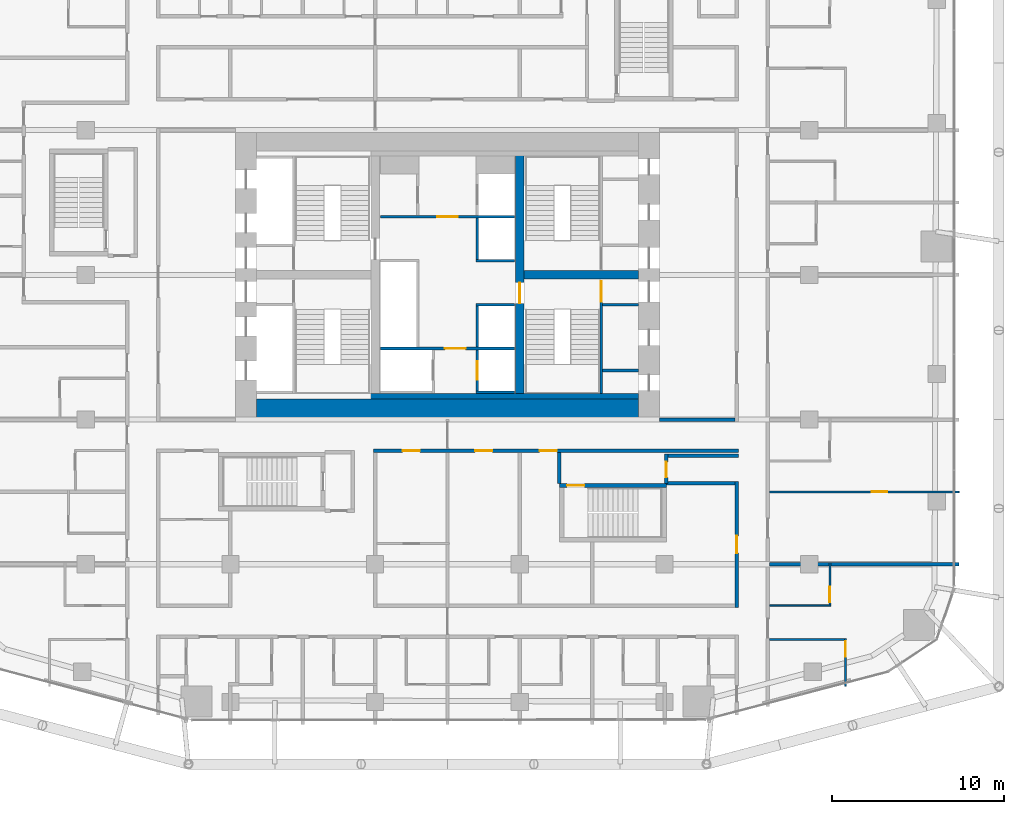
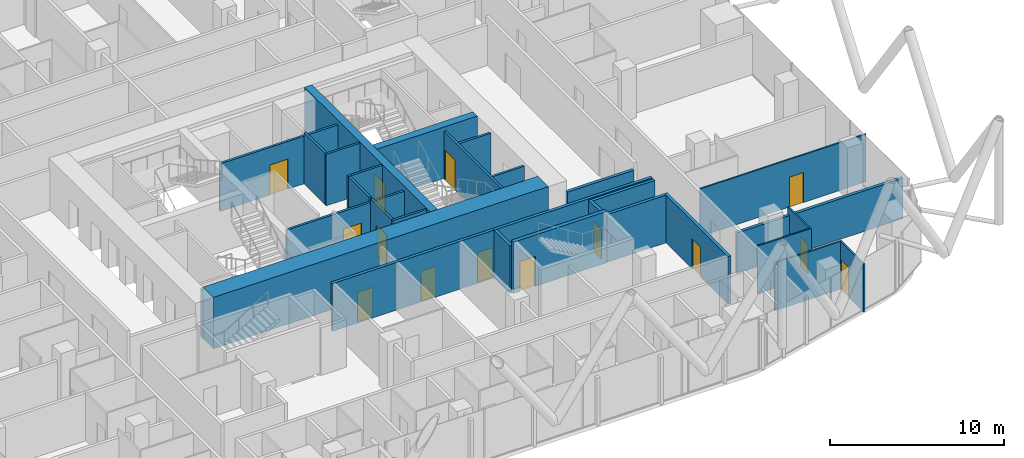
# One storey, part 31 of 38: 30 walls, 14 doors, 14 openings.
"""IFC4 building model written with IfcOpenShell, lengths in metres."""

import ifcopenshell
import ifcopenshell.guid

model = None  # the IFC model being written
_history = None  # IfcOwnerHistory: only IFC2X3 demands one
_inside = {}  # id of a spatial element -> (the spatial element, [elements in it])
_under = {}  # id of a project, library or spatial element -> (it, [spatial elements below it])
_declared = {}  # id of a project -> (the project, [libraries it declares])
_typed = {}  # id of a type object -> (the type object, [elements of that type])
_made_of = {}  # id of a material, layer set ... -> (it, [elements and type objects made of it])


def new_model(schema):
    """Start an empty IFC model of exactly this schema.

    Asked for "IFC4X3", IfcOpenShell would pick the latest addendum, in which some entities
    have other attributes; the version numbers below select the first issue.
    IFC2X3 requires an IfcOwnerHistory on every rooted entity: one is made here for all.
    """
    global model, _history
    if schema == "IFC4X3":
        model = ifcopenshell.file(schema_version=(4, 3, 0, 0))
    else:
        model = ifcopenshell.file(schema=schema)
    _inside.clear()
    _under.clear()
    _declared.clear()
    _typed.clear()
    _made_of.clear()
    _history = None
    if model.schema == "IFC2X3":
        org = make("IfcOrganization", Name="unknown")
        user = make(
            "IfcPersonAndOrganization",
            ThePerson=make("IfcPerson", FamilyName="unknown"),
            TheOrganization=org,
        )
        app = make(
            "IfcApplication",
            ApplicationDeveloper=org,
            Version="unknown",
            ApplicationFullName="unknown",
            ApplicationIdentifier="unknown",
        )
        _history = make(
            "IfcOwnerHistory",
            OwningUser=user,
            OwningApplication=app,
            ChangeAction="ADDED",
            CreationDate=0,
        )
    return model


def make(cls, **values):
    """One entity of the class cls with the attributes given. An attribute that is None is left unset."""
    return model.create_entity(
        cls, **{name: value for name, value in values.items() if value is not None}
    )


def rooted(cls, **values):
    """An entity with a GlobalId (a new one), such as an element, a storey or a relation."""
    return make(cls, GlobalId=ifcopenshell.guid.new(), OwnerHistory=_history, **values)


def si_unit(unit_type, name, prefix=None):
    """IfcSIUnit, for example si_unit("LENGTHUNIT", "METRE", prefix="MILLI")."""
    return make("IfcSIUnit", UnitType=unit_type, Prefix=prefix, Name=name)


def assignment(units):
    """IfcUnitAssignment: the units of a project."""
    return None if units is None else make("IfcUnitAssignment", Units=units)


def point(xyz):
    """IfcCartesianPoint."""
    return None if xyz is None else make("IfcCartesianPoint", Coordinates=xyz)


def direction(xyz):
    """IfcDirection."""
    return None if xyz is None else make("IfcDirection", DirectionRatios=xyz)


def frame(location, z_axis=None, x_axis=None):
    """IfcAxis2Placement3D, a coordinate frame: its origin and axes. An axis left out is left unset."""
    return make(
        "IfcAxis2Placement3D",
        Location=point(location),
        Axis=direction(z_axis),
        RefDirection=direction(x_axis),
    )


def frame_2d(location, x_axis=None):
    """IfcAxis2Placement2D, a coordinate frame in the plane: its origin and x axis."""
    return make(
        "IfcAxis2Placement2D", Location=point(location), RefDirection=direction(x_axis)
    )


def origin():
    """The frame at (0, 0, 0) with its axes left unset."""
    return frame((0.0, 0.0, 0.0))


def place(relative_to, where):
    """IfcLocalPlacement: puts the frame where relative to a parent placement (None: the world)."""
    return make(
        "IfcLocalPlacement", PlacementRelTo=relative_to, RelativePlacement=where
    )


def context(
    kind, dimensions, precision=None, world=None, true_north=None, identifier=None
):
    """IfcGeometricRepresentationContext, for example the 3D "Model" context."""
    return make(
        "IfcGeometricRepresentationContext",
        ContextIdentifier=identifier,
        ContextType=kind,
        CoordinateSpaceDimension=dimensions,
        Precision=precision,
        WorldCoordinateSystem=world,
        TrueNorth=true_north,
    )


def subcontext(parent, identifier, kind, view, scale=None):
    """IfcGeometricRepresentationSubContext, for example "Body" below "Model"."""
    return make(
        "IfcGeometricRepresentationSubContext",
        ContextIdentifier=identifier,
        ContextType=kind,
        ParentContext=parent,
        TargetScale=scale,
        TargetView=view,
    )


def project(units=None, contexts=None):
    """IfcProject with its units and contexts."""
    return rooted(
        "IfcProject",
        Name="project",
        RepresentationContexts=contexts,
        UnitsInContext=assignment(units),
    )


def spatial(cls, under=None, at=None, **own):
    """A site, building, storey or space (cls), placed at a placement, below another one or the project."""
    s = rooted(cls, ObjectPlacement=at, **own)
    if under is not None:
        _under.setdefault(under.id(), (under, []))[1].append(s)
    return s


def profile(cls, at=None, kind="AREA", **sizes):
    """A parametric profile (cls). Its sizes go by their IFC names, for example OverallWidth=200.0."""
    return make(cls, ProfileType=kind, Position=at, **sizes)


def rectangle(**sizes):
    """IfcRectangleProfileDef."""
    return profile("IfcRectangleProfileDef", **sizes)


def extrude(swept, where, along, depth):
    """IfcExtrudedAreaSolid: the profile swept, set in the frame where, extruded along a direction by depth."""
    return make(
        "IfcExtrudedAreaSolid",
        SweptArea=swept,
        Position=where,
        ExtrudedDirection=direction(along),
        Depth=depth,
    )


def shape(context_of_items, identifier, shape_type, items):
    """IfcShapeRepresentation: the items that make up one representation, for example the "Body"."""
    return make(
        "IfcShapeRepresentation",
        ContextOfItems=context_of_items,
        RepresentationIdentifier=identifier,
        RepresentationType=shape_type,
        Items=items,
    )


def material(Name=None, Category=None):
    """IfcMaterial."""
    return make("IfcMaterial", Name=Name, Category=Category)


def layer(
    of_material, thickness, ventilated=None, Name=None, Category=None, Priority=None
):
    """IfcMaterialLayer: one layer of a wall or slab, of a material (None: an air gap)."""
    return make(
        "IfcMaterialLayer",
        Material=of_material,
        LayerThickness=thickness,
        IsVentilated=ventilated,
        Name=Name,
        Category=Category,
        Priority=Priority,
    )


def layer_set(layers, Name=None):
    """IfcMaterialLayerSet."""
    return make("IfcMaterialLayerSet", MaterialLayers=layers, LayerSetName=Name)


def made_of(thing, what):
    """Note that an element or type object is made of a material, layer set ...; save() writes the relation."""
    if what is not None:
        _made_of.setdefault(what.id(), (what, []))[1].append(thing)
    return thing


def type_object(cls, material=None, **own):
    """A type object (cls), such as IfcWallType, which elements share."""
    return made_of(rooted(cls, **own), material)


def element(
    cls,
    number,
    at=None,
    inside=None,
    cuts=None,
    type_object=None,
    material=None,
    context=None,
    identifier="Body",
    shape_type=None,
    held_by="IfcProductDefinitionShape",
    body=None,
    shapes=None,
    **own,
):
    """One element of the class cls, such as IfcWall. Its Tag is "e" and its number.

    at: its placement. inside: the storey or other place that contains it. cuts: it is an
    opening in that element (IfcRelVoidsElement). A single representation is given by context,
    identifier, shape_type and body (its items); several are given by shapes. held_by: the class
    of the entity that holds the representations. save() writes the other relations.
    """
    e = rooted(cls, Tag="e%d" % number, ObjectPlacement=at, **own)
    if body is not None:
        shapes = [shape(context, identifier, shape_type, body)]
    if shapes is not None:
        e.Representation = make(held_by, Representations=shapes)
    if inside is not None:
        _inside.setdefault(inside.id(), (inside, []))[1].append(e)
    if cuts is not None:
        rooted(
            "IfcRelVoidsElement", RelatingBuildingElement=cuts, RelatedOpeningElement=e
        )
    if type_object is not None:
        _typed.setdefault(type_object.id(), (type_object, []))[1].append(e)
    return made_of(e, material)


def fill(opening, filler):
    """IfcRelFillsElement: the door or window that sits in an opening."""
    return rooted(
        "IfcRelFillsElement",
        RelatingOpeningElement=opening,
        RelatedBuildingElement=filler,
    )


def aggregate(whole, parts):
    """IfcRelAggregates: a whole, such as a stair, and the parts it consists of."""
    return rooted("IfcRelAggregates", RelatingObject=whole, RelatedObjects=parts)


def save(model, path):
    """Write the relations noted so far, then the file.

    IfcRelAggregates (storeys below a building ...), IfcRelContainedInSpatialStructure (elements
    in a storey), IfcRelDefinesByType, IfcRelAssociatesMaterial and IfcRelDeclares: one each for
    every whole, place, type object, material and project.
    """
    for whole, parts in _under.values():
        aggregate(whole, parts)
    for where, things in _inside.values():
        rooted(
            "IfcRelContainedInSpatialStructure",
            RelatedElements=things,
            RelatingStructure=where,
        )
    for kind, things in _typed.values():
        rooted("IfcRelDefinesByType", RelatedObjects=things, RelatingType=kind)
    for what, things in _made_of.values():
        rooted("IfcRelAssociatesMaterial", RelatedObjects=things, RelatingMaterial=what)
    for by, libraries in _declared.values():
        rooted("IfcRelDeclares", RelatingContext=by, RelatedDefinitions=libraries)
    model.write(path)


model = new_model("IFC4")

# Units and contexts
model_context = context("Model", 3, precision=1e-05, world=origin(), true_north=direction((0.0, 1.0)))
body_context = subcontext(model_context, "Body", "Model", "MODEL_VIEW")
ifc_project = project(units=[si_unit("LENGTHUNIT", "METRE"), si_unit("AREAUNIT", "SQUARE_METRE"), si_unit("VOLUMEUNIT", "CUBIC_METRE"), si_unit("PLANEANGLEUNIT", "RADIAN"), si_unit("MASSUNIT", "GRAM", prefix="KILO")], contexts=[model_context])

# Site, building, storey
site_placement = place(None, origin())
site = spatial("IfcSite", under=ifc_project, at=site_placement, CompositionType="ELEMENT")
building_placement = place(site_placement, origin())
building = spatial("IfcBuilding", under=site, at=building_placement, Name="Marenta Gate Hotel Tower", CompositionType="ELEMENT")
storey_placement = place(building_placement, frame((0.0, 0.0, 40.10009765625)))
storey = spatial("IfcBuildingStorey", under=building, at=storey_placement, Name="L07", CompositionType="ELEMENT", Elevation=40.10009765625)

# Walls
ifc_material_1 = material(Name="Concrete blockwork", Category="masonry")
ifc_layer_1 = layer(ifc_material_1, 0.199951171875)
ifc_layer_set_1 = layer_set([ifc_layer_1], Name="Concrete blockwork")
wall_type_1 = type_object("IfcWallType", Name="Core boundary wall 200 REI 180", PredefinedType="PARTITIONING", material=ifc_layer_set_1)
wall_1_placement = place(storey_placement, frame((12.300048828125, 0.0, 0.0), z_axis=(0.0, 0.0, 1.0), x_axis=(1.0, 0.0, 0.0)))
element("IfcWall", 1, at=wall_1_placement, inside=storey, type_object=wall_type_1, Name="L07-CP-EW-ES", PredefinedType="PARTITIONING", context=body_context, shape_type="SweptSolid", body=[
    extrude(rectangle(XDim=4.39990234375, YDim=0.199951171875, at=frame_2d((2.199951171875, 0.0))), origin(), (0.0, 0.0, 1.0), 2.83984375),
])
ifc_material_2 = material(Name="Concrete C40", Category="concrete")
ifc_layer_2 = layer(ifc_material_2, 0.300048828125)
ifc_layer_set_2 = layer_set([ifc_layer_2], Name="Concrete C40")
wall_type_2 = type_object("IfcWallType", Name="Core lining wall 300 REI 180", PredefinedType="PARTITIONING", material=ifc_layer_set_2)
wall_2_placement = place(storey_placement, frame((-11.10009765625, 1.35009765625, 0.0), z_axis=(0.0, 0.0, 1.0), x_axis=(1.0, 0.0, 0.0)))
element("IfcWall", 2, at=wall_2_placement, inside=storey, type_object=wall_type_2, Name="L07-CP-LN-S", PredefinedType="PARTITIONING", context=body_context, shape_type="SweptSolid", body=[
    extrude(rectangle(XDim=22.2001953125, YDim=0.300048828125, at=frame_2d((11.10009765625, 0.0))), origin(), (0.0, 0.0, 1.0), 3.33984375),
])

# Wall, opening, door
ifc_material_3 = material(Name="Concrete blockwork", Category="masonry")
ifc_layer_3 = layer(ifc_material_3, 0.14990234375)
ifc_layer_set_3 = layer_set([ifc_layer_3], Name="Concrete blockwork")
wall_type_3 = type_object("IfcWallType", Name="Core lobby partition 150 REI 180", PredefinedType="PARTITIONING", material=ifc_layer_set_3)
wall_3_placement = place(storey_placement, frame((-3.89990234375, 4.125, 0.0), z_axis=(0.0, 0.0, 1.0), x_axis=(1.0, 0.0, 0.0)))
wall_3 = element("IfcWall", 3, at=wall_3_placement, inside=storey, type_object=wall_type_3, Name="L07-CP-CW-S", PredefinedType="PARTITIONING", context=body_context, shape_type="SweptSolid", body=[
    extrude(rectangle(XDim=7.7998046875, YDim=0.14990234375, at=frame_2d((3.89990234375, 0.0))), origin(), (0.0, 0.0, 1.0), 3.33984375),
])
opening_1_placement = place(wall_3_placement, frame((3.75, 0.0, 0.0)))
opening_1 = element("IfcOpeningElement", 4, at=opening_1_placement, cuts=wall_3, Name="Opening FD-FFS", PredefinedType="OPENING", context=body_context, shape_type="SweptSolid", body=[
    extrude(rectangle(XDim=1.199951171875, YDim=2.10009765625, at=frame_2d((0.60009765625, 1.050048828125))), frame((0.0, 0.074951171875, 0.0), z_axis=(0.0, -1.0, 0.0), x_axis=(1.0, 0.0, 0.0)), (0.0, 0.0, 1.0), 0.14990234375),
])
ifc_material_4 = material(Name="Steel", Category="steel")
door_type_1 = type_object("IfcDoorType", Name="Core lobby door 1200x2100 FD60", OperationType="SINGLE_SWING_LEFT", PredefinedType="DOOR", material=ifc_material_4)
door_1_placement = place(opening_1_placement, origin())
door_1 = element("IfcDoor", 5, at=door_1_placement, inside=storey, type_object=door_type_1, Name="FD-FFS", OperationType="SINGLE_SWING_LEFT", OverallHeight=2.10009765625, OverallWidth=1.199951171875, PredefinedType="DOOR", context=body_context, shape_type="SweptSolid", body=[
    extrude(rectangle(XDim=1.199951171875, YDim=2.10009765625, at=frame_2d((0.60009765625, 1.050048828125))), frame((0.0, 0.02490234375, 0.0), z_axis=(0.0, -1.0, 0.0), x_axis=(1.0, 0.0, 0.0)), (0.0, 0.0, 1.0), 0.050048828125),
])
fill(opening_1, door_1)

wall_4_placement = place(storey_placement, frame((-3.89990234375, 11.77490234375, 0.0), z_axis=(0.0, 0.0, 1.0), x_axis=(1.0, 0.0, 0.0)))
wall_4 = element("IfcWall", 6, at=wall_4_placement, inside=storey, type_object=wall_type_3, Name="L07-CP-CW-N", PredefinedType="PARTITIONING", context=body_context, shape_type="SweptSolid", body=[
    extrude(rectangle(XDim=7.7998046875, YDim=0.14990234375, at=frame_2d((3.89990234375, 0.0))), origin(), (0.0, 0.0, 1.0), 3.33984375),
])
opening_2_placement = place(wall_4_placement, frame((3.300048828125, 0.0, 0.0)))
opening_2 = element("IfcOpeningElement", 7, at=opening_2_placement, cuts=wall_4, Name="Opening FD-FFN", PredefinedType="OPENING", context=body_context, shape_type="SweptSolid", body=[
    extrude(rectangle(XDim=1.199951171875, YDim=2.10009765625, at=frame_2d((0.60009765625, 1.050048828125))), frame((0.0, 0.074951171875, 0.0), z_axis=(0.0, -1.0, 0.0), x_axis=(1.0, 0.0, 0.0)), (0.0, 0.0, 1.0), 0.14990234375),
])
door_2_placement = place(opening_2_placement, origin())
door_2 = element("IfcDoor", 8, at=door_2_placement, inside=storey, type_object=door_type_1, Name="FD-FFN", OperationType="SINGLE_SWING_LEFT", OverallHeight=2.10009765625, OverallWidth=1.199951171875, PredefinedType="DOOR", context=body_context, shape_type="SweptSolid", body=[
    extrude(rectangle(XDim=1.199951171875, YDim=2.10009765625, at=frame_2d((0.60009765625, 1.050048828125))), frame((0.0, 0.02490234375, 0.0), z_axis=(0.0, -1.0, 0.0), x_axis=(1.0, 0.0, 0.0)), (0.0, 0.0, 1.0), 0.050048828125),
])
fill(opening_2, door_2)

# Walls
ifc_material_5 = material(Name="Concrete blockwork", Category="masonry")
ifc_layer_4 = layer(ifc_material_5, 0.14990234375)
ifc_layer_set_4 = layer_set([ifc_layer_4], Name="Concrete blockwork")
wall_type_4 = type_object("IfcWallType", Name="Core room partition 150 REI 180", PredefinedType="PARTITIONING", material=ifc_layer_set_4)
for number, where, z_axis, x_axis, name in (
    (9, (9.0, 6.675048828125, 0.0), (0.0, 0.0, 1.0), (1.0, 0.0, 0.0), "L07-CP-SW-ES-2"),
    (10, (9.0, 2.85009765625, 0.0), (0.0, 0.0, 1.0), (1.0, 0.0, 0.0), "L07-CP-RW-ES-1"),
):
    element("IfcWall", number, at=place(storey_placement, frame(where, z_axis=z_axis, x_axis=x_axis)), inside=storey, type_object=wall_type_4, Name=name, PredefinedType="PARTITIONING", context=body_context, shape_type="SweptSolid", body=[
        extrude(rectangle(XDim=2.10009765625, YDim=0.14990234375, at=frame_2d((1.050048828125, 0.0))), origin(), (0.0, 0.0, 1.0), 3.33984375),
    ])

# Wall, opening, door
ifc_material_6 = material(Name="Concrete C40", Category="concrete")
ifc_layer_5 = layer(ifc_material_6, 0.14990234375)
ifc_layer_set_5 = layer_set([ifc_layer_5], Name="Concrete C40")
wall_type_5 = type_object("IfcWallType", Name="Core shaft wall 150 REI 180", PredefinedType="SHEAR", material=ifc_layer_set_5)
wall_5_placement = place(storey_placement, frame((1.72509765625, 1.64990234375, 0.0), z_axis=(0.0, 0.0, 1.0), x_axis=(0.0, 1.0, 0.0)))
wall_5 = element("IfcWall", 11, at=wall_5_placement, inside=storey, type_object=wall_type_5, Name="L07-SHF-CE-S-ls", PredefinedType="SHEAR", context=body_context, shape_type="SweptSolid", body=[
    extrude(rectangle(XDim=2.400146484375, YDim=0.14990234375, at=frame_2d((1.2001953125, 0.0))), origin(), (0.0, 0.0, 1.0), 3.599853515625),
])
opening_3_placement = place(wall_5_placement, frame((0.64990234375, 0.0, 0.0)))
opening_3 = element("IfcOpeningElement", 12, at=opening_3_placement, cuts=wall_5, Name="Opening LD-SV1", PredefinedType="OPENING", context=body_context, shape_type="SweptSolid", body=[
    extrude(rectangle(XDim=1.10009765625, YDim=2.10009765625, at=frame_2d((0.550048828125, 1.050048828125))), frame((0.0, 0.074951171875, 0.0), z_axis=(0.0, -1.0, 0.0), x_axis=(1.0, 0.0, 0.0)), (0.0, 0.0, 1.0), 0.14990234375),
])
ifc_material_7 = material(Name="Steel", Category="steel")
door_type_2 = type_object("IfcDoorType", Name="Core lift landing door 1100x2100 E 60", OperationType="SLIDING_TO_LEFT", PredefinedType="DOOR", material=ifc_material_7)
door_3_placement = place(opening_3_placement, origin())
door_3 = element("IfcDoor", 13, at=door_3_placement, inside=storey, type_object=door_type_2, Name="LD-SV1", OperationType="SLIDING_TO_LEFT", OverallHeight=2.10009765625, OverallWidth=1.10009765625, PredefinedType="DOOR", context=body_context, shape_type="SweptSolid", body=[
    extrude(rectangle(XDim=1.10009765625, YDim=2.10009765625, at=frame_2d((0.550048828125, 1.050048828125))), frame((0.0, 0.02490234375, 0.0), z_axis=(0.0, -1.0, 0.0), x_axis=(1.0, 0.0, 0.0)), (0.0, 0.0, 1.0), 0.050048828125),
])
fill(opening_3, door_3)

# Walls
for number, where, z_axis, x_axis, name in (
    (14, (1.64990234375, 1.574951171875, 0.0), (0.0, 0.0, 1.0), (1.0, 0.0, 0.0), "L07-SHF-CE-S-bot"),
    (15, (1.64990234375, 6.675048828125, 0.0), (0.0, 0.0, 1.0), (1.0, 0.0, 0.0), "L07-SHF-CE-sep1"),
    (16, (1.64990234375, 9.22509765625, 0.0), (0.0, 0.0, 1.0), (1.0, 0.0, 0.0), "L07-SHF-CE-sep2"),
):
    element("IfcWall", number, at=place(storey_placement, frame(where, z_axis=z_axis, x_axis=x_axis)), inside=storey, type_object=wall_type_5, Name=name, PredefinedType="SHEAR", context=body_context, shape_type="SweptSolid", body=[
        extrude(rectangle(XDim=2.25, YDim=0.14990234375, at=frame_2d((1.125, 0.0))), origin(), (0.0, 0.0, 1.0), 3.599853515625),
    ])
wall_6_placement = place(storey_placement, frame((1.72509765625, 4.199951171875, 0.0), z_axis=(0.0, 0.0, 1.0), x_axis=(0.0, 1.0, 0.0)))
element("IfcWall", 17, at=wall_6_placement, inside=storey, type_object=wall_type_5, Name="L07-SHF-CE-front-1", PredefinedType="SHEAR", context=body_context, shape_type="SweptSolid", body=[
    extrude(rectangle(XDim=2.400146484375, YDim=0.14990234375, at=frame_2d((1.2001953125, 0.0))), origin(), (0.0, 0.0, 1.0), 3.599853515625),
])
wall_7_placement = place(storey_placement, frame((1.72509765625, 9.300048828125, 0.0), z_axis=(0.0, 0.0, 1.0), x_axis=(0.0, 1.0, 0.0)))
element("IfcWall", 18, at=wall_7_placement, inside=storey, type_object=wall_type_5, Name="L07-SHF-CE-front-2", PredefinedType="SHEAR", context=body_context, shape_type="SweptSolid", body=[
    extrude(rectangle(XDim=2.39990234375, YDim=0.14990234375, at=frame_2d((1.199951171875, 0.0))), origin(), (0.0, 0.0, 1.0), 3.599853515625),
])

# Wall, opening, door
ifc_material_8 = material(Name="Concrete C40", Category="concrete")
ifc_layer_6 = layer(ifc_material_8, 0.14990234375)
ifc_layer_set_6 = layer_set([ifc_layer_6], Name="Concrete C40")
wall_type_6 = type_object("IfcWallType", Name="Core stair enclosure wall 150 REI 180", PredefinedType="SHEAR", material=ifc_layer_set_6)
wall_8_placement = place(storey_placement, frame((8.925048828125, 1.5, 0.0), z_axis=(0.0, 0.0, 1.0), x_axis=(0.0, 1.0, 0.0)))
wall_8 = element("IfcWall", 19, at=wall_8_placement, inside=storey, type_object=wall_type_6, Name="L07-SHF-SW-ES-3", PredefinedType="SHEAR", context=body_context, shape_type="SweptSolid", body=[
    extrude(rectangle(XDim=6.60009765625, YDim=0.14990234375, at=frame_2d((3.300048828125, 0.0))), origin(), (0.0, 0.0, 1.0), 3.33984375),
])
opening_4_placement = place(wall_8_placement, frame((5.324951171875, 0.0, 0.0)))
opening_4 = element("IfcOpeningElement", 20, at=opening_4_placement, cuts=wall_8, Name="Opening SD-ES", PredefinedType="OPENING", context=body_context, shape_type="SweptSolid", body=[
    extrude(rectangle(XDim=1.199951171875, YDim=2.10009765625, at=frame_2d((0.60009765625, 1.050048828125))), frame((0.0, 0.074951171875, 0.0), z_axis=(0.0, -1.0, 0.0), x_axis=(1.0, 0.0, 0.0)), (0.0, 0.0, 1.0), 0.14990234375),
])
ifc_material_9 = material(Name="Steel", Category="steel")
door_type_3 = type_object("IfcDoorType", Name="Core stair door 1200x2100 FD60", OperationType="SINGLE_SWING_LEFT", PredefinedType="DOOR", material=ifc_material_9)
door_4_placement = place(opening_4_placement, origin())
door_4 = element("IfcDoor", 21, at=door_4_placement, inside=storey, type_object=door_type_3, Name="SD-ES", OperationType="SINGLE_SWING_LEFT", OverallHeight=2.10009765625, OverallWidth=1.199951171875, PredefinedType="DOOR", context=body_context, shape_type="SweptSolid", body=[
    extrude(rectangle(XDim=1.199951171875, YDim=2.10009765625, at=frame_2d((0.60009765625, 1.050048828125))), frame((0.0, 0.02490234375, 0.0), z_axis=(0.0, -1.0, 0.0), x_axis=(1.0, 0.0, 0.0)), (0.0, 0.0, 1.0), 0.050048828125),
])
fill(opening_4, door_4)

# Wall
ifc_material_10 = material(Name="Concrete C80", Category="concrete")
ifc_layer_7 = layer(ifc_material_10, 1.199951171875)
ifc_layer_set_7 = layer_set([ifc_layer_7], Name="Concrete C80")
wall_type_7 = type_object("IfcWallType", Name="Core wall 1200 C80", PredefinedType="SHEAR", material=ifc_layer_set_7)
wall_9_placement = place(storey_placement, frame((-11.10009765625, 0.60009765625, 0.0), z_axis=(0.0, 0.0, 1.0), x_axis=(1.0, 0.0, 0.0)))
element("IfcWall", 22, at=wall_9_placement, inside=storey, type_object=wall_type_7, Name="L07-CORE-S", PredefinedType="SHEAR", context=body_context, shape_type="SweptSolid", body=[
    extrude(rectangle(XDim=22.2001953125, YDim=1.199951171875, at=frame_2d((11.10009765625, 0.0))), origin(), (0.0, 0.0, 1.0), 3.599853515625),
])

# Wall, opening, door
ifc_material_11 = material(Name="Concrete C80", Category="concrete")
ifc_layer_8 = layer(ifc_material_11, 0.5)
ifc_layer_set_8 = layer_set([ifc_layer_8], Name="Concrete C80")
wall_type_8 = type_object("IfcWallType", Name="Core web 500 C80", PredefinedType="SHEAR", material=ifc_layer_set_8)
wall_10_placement = place(storey_placement, frame((4.199951171875, 1.199951171875, 0.0), z_axis=(0.0, 0.0, 1.0), x_axis=(0.0, 1.0, 0.0)))
wall_10 = element("IfcWall", 23, at=wall_10_placement, inside=storey, type_object=wall_type_8, Name="L07-CORE-W2", PredefinedType="SHEAR", context=body_context, shape_type="SweptSolid", body=[
    extrude(rectangle(XDim=14.400146484375, YDim=0.5, at=frame_2d((7.2001953125, 0.0))), origin(), (0.0, 0.0, 1.0), 3.599853515625),
])
opening_5_placement = place(wall_10_placement, frame((5.550048828125, 0.0, 0.0)))
opening_5 = element("IfcOpeningElement", 24, at=opening_5_placement, cuts=wall_10, Name="Opening WD-E", PredefinedType="OPENING", context=body_context, shape_type="SweptSolid", body=[
    extrude(rectangle(XDim=1.199951171875, YDim=2.10009765625, at=frame_2d((0.60009765625, 1.050048828125))), frame((0.0, 0.25, 0.0), z_axis=(0.0, -1.0, 0.0), x_axis=(1.0, 0.0, 0.0)), (0.0, 0.0, 1.0), 0.5),
])
door_5_placement = place(opening_5_placement, origin())
door_5 = element("IfcDoor", 25, at=door_5_placement, inside=storey, type_object=door_type_3, Name="WD-E", OperationType="SINGLE_SWING_LEFT", OverallHeight=2.10009765625, OverallWidth=1.199951171875, PredefinedType="DOOR", context=body_context, shape_type="SweptSolid", body=[
    extrude(rectangle(XDim=1.199951171875, YDim=2.10009765625, at=frame_2d((0.60009765625, 1.050048828125))), frame((0.0, 0.02490234375, 0.0), z_axis=(0.0, -1.0, 0.0), x_axis=(1.0, 0.0, 0.0)), (0.0, 0.0, 1.0), 0.050048828125),
])
fill(opening_5, door_5)

# Wall
wall_11_placement = place(storey_placement, frame((4.449951171875, 8.39990234375, 0.0), z_axis=(0.0, 0.0, 1.0), x_axis=(1.0, 0.0, 0.0)))
element("IfcWall", 26, at=wall_11_placement, inside=storey, type_object=wall_type_8, Name="L07-CORE-W4", PredefinedType="SHEAR", context=body_context, shape_type="SweptSolid", body=[
    extrude(rectangle(XDim=6.650146484375, YDim=0.5, at=frame_2d((3.3251953125, 0.0))), origin(), (0.0, 0.0, 1.0), 3.599853515625),
])

# Wall, opening, door
ifc_material_12 = material(Name="Concrete C40", Category="concrete")
ifc_layer_9 = layer(ifc_material_12, 0.25)
ifc_layer_set_9 = layer_set([ifc_layer_9], Name="Concrete C40")
wall_type_9 = type_object("IfcWallType", Name="Remote stair enclosure wall 250 REI 180", PredefinedType="SHEAR", material=ifc_layer_set_9)
wall_12_placement = place(storey_placement, frame((6.5, -3.824951171875, 0.099853515625), z_axis=(0.0, 0.0, 1.0), x_axis=(1.0, 0.0, 0.0)))
wall_12 = element("IfcWall", 27, at=wall_12_placement, inside=storey, type_object=wall_type_9, Name="L07-RS-Z1-1-W2", PredefinedType="SHEAR", context=body_context, shape_type="SweptSolid", body=[
    extrude(rectangle(XDim=6.199951171875, YDim=0.25, at=frame_2d((3.10009765625, 0.0))), origin(), (0.0, 0.0, 1.0), 3.60009765625),
])
opening_6_placement = place(wall_12_placement, frame((0.449951171875, 0.0, 0.0)))
opening_6 = element("IfcOpeningElement", 28, at=opening_6_placement, cuts=wall_12, Name="Opening VD", PredefinedType="OPENING", context=body_context, shape_type="SweptSolid", body=[
    extrude(rectangle(XDim=1.0, YDim=2.10009765625, at=frame_2d((0.5, 1.050048828125))), frame((0.0, 0.125, 0.0), z_axis=(0.0, -1.0, 0.0), x_axis=(1.0, 0.0, 0.0)), (0.0, 0.0, 1.0), 0.25),
])
ifc_material_13 = material(Name="Steel", Category="steel")
door_type_4 = type_object("IfcDoorType", Name="Stair vestibule door 1000x2100 FD60", OperationType="SINGLE_SWING_LEFT", PredefinedType="DOOR", material=ifc_material_13)
door_6_placement = place(opening_6_placement, origin())
door_6 = element("IfcDoor", 29, at=door_6_placement, inside=storey, type_object=door_type_4, Name="VD", OperationType="SINGLE_SWING_LEFT", OverallHeight=2.10009765625, OverallWidth=1.0, PredefinedType="DOOR", context=body_context, shape_type="SweptSolid", body=[
    extrude(rectangle(XDim=1.0, YDim=2.10009765625, at=frame_2d((0.5, 1.050048828125))), frame((0.0, 0.02490234375, 0.0), z_axis=(0.0, -1.0, 0.0), x_axis=(1.0, 0.0, 0.0)), (0.0, 0.0, 1.0), 0.050048828125),
])
fill(opening_6, door_6)

# Wall, openings, doors
ifc_material_14 = material(Name="Concrete blockwork", Category="masonry")
ifc_layer_10 = layer(ifc_material_14, 0.199951171875)
ifc_layer_set_10 = layer_set([ifc_layer_10], Name="Concrete blockwork")
wall_type_10 = type_object("IfcWallType", Name="Room corridor wall 200 EI 120", PredefinedType="PARTITIONING", material=ifc_layer_set_10)
wall_13_placement = place(storey_placement, frame((-4.300048828125, -1.800048828125, 0.0), z_axis=(0.0, 0.0, 1.0), x_axis=(1.0, 0.0, 0.0)))
wall_13 = element("IfcWall", 30, at=wall_13_placement, inside=storey, type_object=wall_type_10, Name="L07-PTN-W067", PredefinedType="PARTITIONING", context=body_context, shape_type="SweptSolid", body=[
    extrude(rectangle(XDim=10.900146484375, YDim=0.199951171875, at=frame_2d((5.4501953125, 0.0))), origin(), (0.0, 0.0, 1.0), 3.33984375),
])
opening_7_placement = place(wall_13_placement, frame((1.699951171875, 0.0, 0.0)))
opening_7 = element("IfcOpeningElement", 31, at=opening_7_placement, cuts=wall_13, Name="Opening G02-08", PredefinedType="OPENING", context=body_context, shape_type="SweptSolid", body=[
    extrude(rectangle(XDim=1.0, YDim=2.10009765625, at=frame_2d((0.5, 1.050048828125))), frame((0.0, 0.10009765625, 0.0), z_axis=(0.0, -1.0, 0.0), x_axis=(1.0, 0.0, 0.0)), (0.0, 0.0, 1.0), 0.199951171875),
])
opening_8_placement = place(wall_13_placement, frame((5.89990234375, 0.0, 0.0)))
opening_8 = element("IfcOpeningElement", 32, at=opening_8_placement, cuts=wall_13, Name="Opening G02-10", PredefinedType="OPENING", context=body_context, shape_type="SweptSolid", body=[
    extrude(rectangle(XDim=1.0, YDim=2.10009765625, at=frame_2d((0.5, 1.050048828125))), frame((0.0, 0.10009765625, 0.0), z_axis=(0.0, -1.0, 0.0), x_axis=(1.0, 0.0, 0.0)), (0.0, 0.0, 1.0), 0.199951171875),
])
opening_9_placement = place(wall_13_placement, frame((9.64990234375, 0.0, 0.0)))
opening_9 = element("IfcOpeningElement", 33, at=opening_9_placement, cuts=wall_13, Name="Opening G02-11", PredefinedType="OPENING", context=body_context, shape_type="SweptSolid", body=[
    extrude(rectangle(XDim=1.0, YDim=2.10009765625, at=frame_2d((0.5, 1.050048828125))), frame((0.0, 0.10009765625, 0.0), z_axis=(0.0, -1.0, 0.0), x_axis=(1.0, 0.0, 0.0)), (0.0, 0.0, 1.0), 0.199951171875),
])
ifc_material_15 = material(Name="Timber door leaf", Category="wood")
door_type_5 = type_object("IfcDoorType", Name="Room amenity door 1000x2100 EI 60", OperationType="NOTDEFINED", PredefinedType="DOOR", material=ifc_material_15)
door_7_placement = place(opening_8_placement, origin())
door_7 = element("IfcDoor", 34, at=door_7_placement, inside=storey, type_object=door_type_5, Name="L07-PD-D010", OperationType="SINGLE_SWING_RIGHT", OverallHeight=2.10009765625, OverallWidth=1.0, PredefinedType="DOOR", context=body_context, shape_type="SweptSolid", body=[
    extrude(rectangle(XDim=1.0, YDim=2.10009765625, at=frame_2d((0.5, 1.050048828125))), frame((0.0, 0.02490234375, 0.0), z_axis=(0.0, -1.0, 0.0), x_axis=(1.0, 0.0, 0.0)), (0.0, 0.0, 1.0), 0.050048828125),
])
fill(opening_8, door_7)
door_8_placement = place(opening_9_placement, origin())
door_8 = element("IfcDoor", 35, at=door_8_placement, inside=storey, type_object=door_type_5, Name="L07-PD-D011", OperationType="SINGLE_SWING_LEFT", OverallHeight=2.10009765625, OverallWidth=1.0, PredefinedType="DOOR", context=body_context, shape_type="SweptSolid", body=[
    extrude(rectangle(XDim=1.0, YDim=2.10009765625, at=frame_2d((0.5, 1.050048828125))), frame((0.0, 0.02490234375, 0.0), z_axis=(0.0, -1.0, 0.0), x_axis=(1.0, 0.0, 0.0)), (0.0, 0.0, 1.0), 0.050048828125),
])
fill(opening_9, door_8)
ifc_material_16 = material(Name="Hollow steel door set", Category="steel")
door_type_6 = type_object("IfcDoorType", Name="Room service door 1000x2100 EI 60", OperationType="NOTDEFINED", PredefinedType="DOOR", material=ifc_material_16)
door_9_placement = place(opening_7_placement, origin())
door_9 = element("IfcDoor", 36, at=door_9_placement, inside=storey, type_object=door_type_6, Name="L07-PD-D008", OperationType="SINGLE_SWING_RIGHT", OverallHeight=2.10009765625, OverallWidth=1.0, PredefinedType="DOOR", context=body_context, shape_type="SweptSolid", body=[
    extrude(rectangle(XDim=1.0, YDim=2.10009765625, at=frame_2d((0.5, 1.050048828125))), frame((0.0, 0.02490234375, 0.0), z_axis=(0.0, -1.0, 0.0), x_axis=(1.0, 0.0, 0.0)), (0.0, 0.0, 1.0), 0.050048828125),
])
fill(opening_7, door_9)

# Wall, opening, door
ifc_material_17 = material(Name="Gypsum board on steel stud", Category="steel")
ifc_layer_11 = layer(ifc_material_17, 0.199951171875)
ifc_layer_set_11 = layer_set([ifc_layer_11], Name="Gypsum board on steel stud")
wall_type_11 = type_object("IfcWallType", Name="Room corridor wall 200 EI 60", PredefinedType="PARTITIONING", material=ifc_layer_set_11)
wall_14_placement = place(storey_placement, frame((16.800048828125, -10.89990234375, 0.0), z_axis=(0.0, 0.0, 1.0), x_axis=(0.0, 1.0, 0.0)))
wall_14 = element("IfcWall", 37, at=wall_14_placement, inside=storey, type_object=wall_type_11, Name="L07-PTN-W014", PredefinedType="PARTITIONING", context=body_context, shape_type="SweptSolid", body=[
    extrude(rectangle(XDim=7.2998046875, YDim=0.199951171875, at=frame_2d((3.64990234375, 0.0))), origin(), (0.0, 0.0, 1.0), 3.33984375),
])
opening_10_placement = place(wall_14_placement, frame((3.14990234375, 0.0, 0.0)))
opening_10 = element("IfcOpeningElement", 38, at=opening_10_placement, cuts=wall_14, Name="Opening G02-72", PredefinedType="OPENING", context=body_context, shape_type="SweptSolid", body=[
    extrude(rectangle(XDim=1.0, YDim=2.10009765625, at=frame_2d((0.5, 1.050048828125))), frame((0.0, 0.10009765625, 0.0), z_axis=(0.0, -1.0, 0.0), x_axis=(1.0, 0.0, 0.0)), (0.0, 0.0, 1.0), 0.199951171875),
])
ifc_material_18 = material(Name="Timber door leaf", Category="wood")
door_type_7 = type_object("IfcDoorType", Name="Room amenity door 1000x2100 EI 30", OperationType="NOTDEFINED", PredefinedType="DOOR", material=ifc_material_18)
door_10_placement = place(opening_10_placement, origin())
door_10 = element("IfcDoor", 39, at=door_10_placement, inside=storey, type_object=door_type_7, Name="L07-PD-D072", OperationType="SINGLE_SWING_RIGHT", OverallHeight=2.10009765625, OverallWidth=1.0, PredefinedType="DOOR", context=body_context, shape_type="SweptSolid", body=[
    extrude(rectangle(XDim=1.0, YDim=2.10009765625, at=frame_2d((0.5, 1.050048828125))), frame((0.0, 0.02490234375, 0.0), z_axis=(0.0, -1.0, 0.0), x_axis=(1.0, 0.0, 0.0)), (0.0, 0.0, 1.0), 0.050048828125),
])
fill(opening_10, door_10)

# Wall
wall_15_placement = place(storey_placement, frame((12.699951171875, -3.699951171875, 0.0), z_axis=(0.0, 0.0, 1.0), x_axis=(1.0, 0.0, 0.0)))
element("IfcWall", 40, at=wall_15_placement, inside=storey, type_object=wall_type_11, Name="L07-PTN-W060", PredefinedType="PARTITIONING", context=body_context, shape_type="SweptSolid", body=[
    extrude(rectangle(XDim=4.0, YDim=0.199951171875, at=frame_2d((2.0, 0.0))), origin(), (0.0, 0.0, 1.0), 3.33984375),
])

# Wall, opening, door
ifc_material_19 = material(Name="Concrete blockwork", Category="masonry")
ifc_layer_12 = layer(ifc_material_19, 0.199951171875)
ifc_layer_set_12 = layer_set([ifc_layer_12], Name="Concrete blockwork")
wall_type_12 = type_object("IfcWallType", Name="Room corridor wall 200 REI 180", PredefinedType="PARTITIONING", material=ifc_layer_set_12)
wall_16_placement = place(storey_placement, frame((12.699951171875, -3.699951171875, 0.0), z_axis=(0.0, 0.0, 1.0), x_axis=(0.0, 1.0, 0.0)))
wall_16 = element("IfcWall", 41, at=wall_16_placement, inside=storey, type_object=wall_type_12, Name="L07-PTN-W031", PredefinedType="PARTITIONING", context=body_context, shape_type="SweptSolid", body=[
    extrude(rectangle(XDim=1.699951171875, YDim=0.199951171875, at=frame_2d((0.85009765625, 0.0))), origin(), (0.0, 0.0, 1.0), 3.33984375),
])
opening_11_placement = place(wall_16_placement, frame((0.35009765625, 0.0, 0.0)))
opening_11 = element("IfcOpeningElement", 42, at=opening_11_placement, cuts=wall_16, Name="Opening G02-68", PredefinedType="OPENING", context=body_context, shape_type="SweptSolid", body=[
    extrude(rectangle(XDim=0.89990234375, YDim=2.10009765625, at=frame_2d((0.449951171875, 1.050048828125))), frame((0.0, 0.10009765625, 0.0), z_axis=(0.0, -1.0, 0.0), x_axis=(1.0, 0.0, 0.0)), (0.0, 0.0, 1.0), 0.199951171875),
])
ifc_material_20 = material(Name="Hollow steel door set", Category="steel")
door_type_8 = type_object("IfcDoorType", Name="Stair vestibule door 900x2100 EI 60", OperationType="NOTDEFINED", PredefinedType="DOOR", material=ifc_material_20)
door_11_placement = place(opening_11_placement, origin())
door_11 = element("IfcDoor", 43, at=door_11_placement, inside=storey, type_object=door_type_8, Name="L07-PD-D068", OperationType="SINGLE_SWING_LEFT", OverallHeight=2.10009765625, OverallWidth=0.89990234375, PredefinedType="DOOR", context=body_context, shape_type="SweptSolid", body=[
    extrude(rectangle(XDim=0.89990234375, YDim=2.10009765625, at=frame_2d((0.449951171875, 1.050048828125))), frame((0.0, 0.02490234375, 0.0), z_axis=(0.0, -1.0, 0.0), x_axis=(1.0, 0.0, 0.0)), (0.0, 0.0, 1.0), 0.050048828125),
])
fill(opening_11, door_11)

# Walls
wall_17_placement = place(storey_placement, frame((12.800048828125, -2.10009765625, 0.0), z_axis=(0.0, 0.0, 1.0), x_axis=(1.0, 0.0, 0.0)))
element("IfcWall", 44, at=wall_17_placement, inside=storey, type_object=wall_type_12, Name="L07-PTN-W063", PredefinedType="PARTITIONING", context=body_context, shape_type="SweptSolid", body=[
    extrude(rectangle(XDim=4.099853515625, YDim=0.199951171875, at=frame_2d((2.0498046875, 0.0))), origin(), (0.0, 0.0, 1.0), 3.33984375),
])
wall_18_placement = place(storey_placement, frame((6.39990234375, -1.800048828125, 0.0), z_axis=(0.0, 0.0, 1.0), x_axis=(1.0, 0.0, 0.0)))
element("IfcWall", 45, at=wall_18_placement, inside=storey, type_object=wall_type_12, Name="L07-PTN-W068", PredefinedType="PARTITIONING", context=body_context, shape_type="SweptSolid", body=[
    extrude(rectangle(XDim=10.5, YDim=0.199951171875, at=frame_2d((5.25, 0.0))), origin(), (0.0, 0.0, 1.0), 3.33984375),
])

# Wall, opening, door
ifc_material_21 = material(Name="Gypsum board on steel stud", Category="steel")
ifc_layer_13 = layer(ifc_material_21, 0.10009765625)
ifc_layer_set_13 = layer_set([ifc_layer_13], Name="Gypsum board on steel stud")
wall_type_13 = type_object("IfcWallType", Name="Room partition 100", PredefinedType="PARTITIONING", material=ifc_layer_set_13)
wall_19_placement = place(storey_placement, frame((23.10009765625, -15.470947265625, 0.0), z_axis=(0.0, 0.0, 1.0), x_axis=(0.0, 1.0, 0.0)))
wall_19 = element("IfcWall", 46, at=wall_19_placement, inside=storey, type_object=wall_type_13, Name="L07-PTN-W001", PredefinedType="PARTITIONING", context=body_context, shape_type="SweptSolid", body=[
    extrude(rectangle(XDim=2.755859375, YDim=0.10009765625, at=frame_2d((1.3779296875, 0.0))), origin(), (0.0, 0.0, 1.0), 3.33984375),
])
opening_12_placement = place(wall_19_placement, frame((1.7060546875, 0.0, 0.0)))
opening_12 = element("IfcOpeningElement", 47, at=opening_12_placement, cuts=wall_19, Name="Opening G02-13", PredefinedType="OPENING", context=body_context, shape_type="SweptSolid", body=[
    extrude(rectangle(XDim=0.89990234375, YDim=2.10009765625, at=frame_2d((0.449951171875, 1.050048828125))), frame((0.0, 0.050048828125, 0.0), z_axis=(0.0, -1.0, 0.0), x_axis=(1.0, 0.0, 0.0)), (0.0, 0.0, 1.0), 0.10009765625),
])
ifc_material_22 = material(Name="Timber door leaf", Category="wood")
door_type_9 = type_object("IfcDoorType", Name="Guest bathroom door 900x2100", OperationType="NOTDEFINED", PredefinedType="DOOR", material=ifc_material_22)
door_12_placement = place(opening_12_placement, origin())
door_12 = element("IfcDoor", 48, at=door_12_placement, inside=storey, type_object=door_type_9, Name="L07-PD-D013", OperationType="SINGLE_SWING_RIGHT", OverallHeight=2.10009765625, OverallWidth=0.89990234375, PredefinedType="DOOR", context=body_context, shape_type="SweptSolid", body=[
    extrude(rectangle(XDim=0.89990234375, YDim=2.10009765625, at=frame_2d((0.449951171875, 1.050048828125))), frame((0.0, 0.02490234375, 0.0), z_axis=(0.0, -1.0, 0.0), x_axis=(1.0, 0.0, 0.0)), (0.0, 0.0, 1.0), 0.050048828125),
])
fill(opening_12, door_12)

wall_20_placement = place(storey_placement, frame((22.199951171875, -10.75, 0.0), z_axis=(0.0, 0.0, 1.0), x_axis=(0.0, 1.0, 0.0)))
wall_20 = element("IfcWall", 49, at=wall_20_placement, inside=storey, type_object=wall_type_13, Name="L07-PTN-W004", PredefinedType="PARTITIONING", context=body_context, shape_type="SweptSolid", body=[
    extrude(rectangle(XDim=2.449951171875, YDim=0.10009765625, at=frame_2d((1.22509765625, 0.0))), origin(), (0.0, 0.0, 1.0), 3.33984375),
])
opening_13_placement = place(wall_20_placement, frame((0.14990234375, 0.0, 0.0)))
opening_13 = element("IfcOpeningElement", 50, at=opening_13_placement, cuts=wall_20, Name="Opening G02-14", PredefinedType="OPENING", context=body_context, shape_type="SweptSolid", body=[
    extrude(rectangle(XDim=0.89990234375, YDim=2.10009765625, at=frame_2d((0.449951171875, 1.050048828125))), frame((0.0, 0.050048828125, 0.0), z_axis=(0.0, -1.0, 0.0), x_axis=(1.0, 0.0, 0.0)), (0.0, 0.0, 1.0), 0.10009765625),
])
ifc_material_23 = material(Name="Timber door leaf", Category="wood")
door_type_10 = type_object("IfcDoorType", Name="Room inner door 900x2100", OperationType="NOTDEFINED", PredefinedType="DOOR", material=ifc_material_23)
door_13_placement = place(opening_13_placement, origin())
door_13 = element("IfcDoor", 51, at=door_13_placement, inside=storey, type_object=door_type_10, Name="L07-PD-D014", OperationType="SINGLE_SWING_LEFT", OverallHeight=2.10009765625, OverallWidth=0.89990234375, PredefinedType="DOOR", context=body_context, shape_type="SweptSolid", body=[
    extrude(rectangle(XDim=0.89990234375, YDim=2.10009765625, at=frame_2d((0.449951171875, 1.050048828125))), frame((0.0, 0.02490234375, 0.0), z_axis=(0.0, -1.0, 0.0), x_axis=(1.0, 0.0, 0.0)), (0.0, 0.0, 1.0), 0.050048828125),
])
fill(opening_13, door_13)

# Walls
wall_21_placement = place(storey_placement, frame((18.699951171875, -12.764892578125, 0.0), z_axis=(0.0, 0.0, 1.0), x_axis=(1.0, 0.0, 0.0)))
element("IfcWall", 52, at=wall_21_placement, inside=storey, type_object=wall_type_13, Name="L07-PTN-W030", PredefinedType="PARTITIONING", context=body_context, shape_type="SweptSolid", body=[
    extrude(rectangle(XDim=4.35009765625, YDim=0.10009765625, at=frame_2d((2.175048828125, 0.0))), origin(), (0.0, 0.0, 1.0), 3.33984375),
])
wall_22_placement = place(storey_placement, frame((18.699951171875, -10.800048828125, 0.0), z_axis=(0.0, 0.0, 1.0), x_axis=(1.0, 0.0, 0.0)))
element("IfcWall", 53, at=wall_22_placement, inside=storey, type_object=wall_type_13, Name="L07-PTN-W037", PredefinedType="PARTITIONING", context=body_context, shape_type="SweptSolid", body=[
    extrude(rectangle(XDim=3.550048828125, YDim=0.10009765625, at=frame_2d((1.77490234375, 0.0))), origin(), (0.0, 0.0, 1.0), 3.33984375),
])

# Wall, opening, door
wall_23_placement = place(storey_placement, frame((18.699951171875, -4.199951171875, 0.0), z_axis=(0.0, 0.0, 1.0), x_axis=(1.0, 0.0, 0.0)))
wall_23 = element("IfcWall", 54, at=wall_23_placement, inside=storey, type_object=wall_type_13, Name="L07-PTN-W059", PredefinedType="PARTITIONING", context=body_context, shape_type="SweptSolid", body=[
    extrude(rectangle(XDim=11.0, YDim=0.10009765625, at=frame_2d((5.5, 0.0))), origin(), (0.0, 0.0, 1.0), 3.33984375),
])
opening_14_placement = place(wall_23_placement, frame((5.929931640625, 0.0, 0.0)))
opening_14 = element("IfcOpeningElement", 55, at=opening_14_placement, cuts=wall_23, Name="Opening G02-16", PredefinedType="OPENING", context=body_context, shape_type="SweptSolid", body=[
    extrude(rectangle(XDim=0.89990234375, YDim=2.10009765625, at=frame_2d((0.449951171875, 1.050048828125))), frame((0.0, 0.050048828125, 0.0), z_axis=(0.0, -1.0, 0.0), x_axis=(1.0, 0.0, 0.0)), (0.0, 0.0, 1.0), 0.10009765625),
])
door_14_placement = place(opening_14_placement, origin())
door_14 = element("IfcDoor", 56, at=door_14_placement, inside=storey, type_object=door_type_10, Name="L07-PD-D016", OperationType="SINGLE_SWING_RIGHT", OverallHeight=2.10009765625, OverallWidth=0.89990234375, PredefinedType="DOOR", context=body_context, shape_type="SweptSolid", body=[
    extrude(rectangle(XDim=0.89990234375, YDim=2.10009765625, at=frame_2d((0.449951171875, 1.050048828125))), frame((0.0, 0.02490234375, 0.0), z_axis=(0.0, -1.0, 0.0), x_axis=(1.0, 0.0, 0.0)), (0.0, 0.0, 1.0), 0.050048828125),
])
fill(opening_14, door_14)

# Walls
ifc_material_24 = material(Name="Gypsum board on steel stud", Category="steel")
ifc_layer_14 = layer(ifc_material_24, 0.199951171875)
ifc_layer_set_14 = layer_set([ifc_layer_14], Name="Gypsum board on steel stud")
wall_type_14 = type_object("IfcWallType", Name="Room party wall 200 EI 60", PredefinedType="PARTITIONING", material=ifc_layer_set_14)
wall_24_placement = place(storey_placement, frame((18.699951171875, -8.39990234375, 0.0), z_axis=(0.0, 0.0, 1.0), x_axis=(1.0, 0.0, 0.0)))
element("IfcWall", 57, at=wall_24_placement, inside=storey, type_object=wall_type_14, Name="L07-PTN-W044", PredefinedType="PARTITIONING", context=body_context, shape_type="SweptSolid", body=[
    extrude(rectangle(XDim=11.0, YDim=0.199951171875, at=frame_2d((5.5, 0.0))), origin(), (0.0, 0.0, 1.0), 2.83984375),
])
ifc_material_25 = material(Name="Concrete blockwork", Category="masonry")
ifc_layer_15 = layer(ifc_material_25, 0.199951171875)
ifc_layer_set_15 = layer_set([ifc_layer_15], Name="Concrete blockwork")
wall_type_15 = type_object("IfcWallType", Name="Room party wall 200 REI 180", PredefinedType="PARTITIONING", material=ifc_layer_set_15)
wall_25_placement = place(storey_placement, frame((6.5, -3.699951171875, 0.0), z_axis=(0.0, 0.0, 1.0), x_axis=(0.0, 1.0, 0.0)))
element("IfcWall", 58, at=wall_25_placement, inside=storey, type_object=wall_type_15, Name="L07-PTN-W051", PredefinedType="PARTITIONING", context=body_context, shape_type="SweptSolid", body=[
    extrude(rectangle(XDim=1.800048828125, YDim=0.199951171875, at=frame_2d((0.89990234375, 0.0))), origin(), (0.0, 0.0, 1.0), 3.33984375),
])

save(model, "model.ifc")
